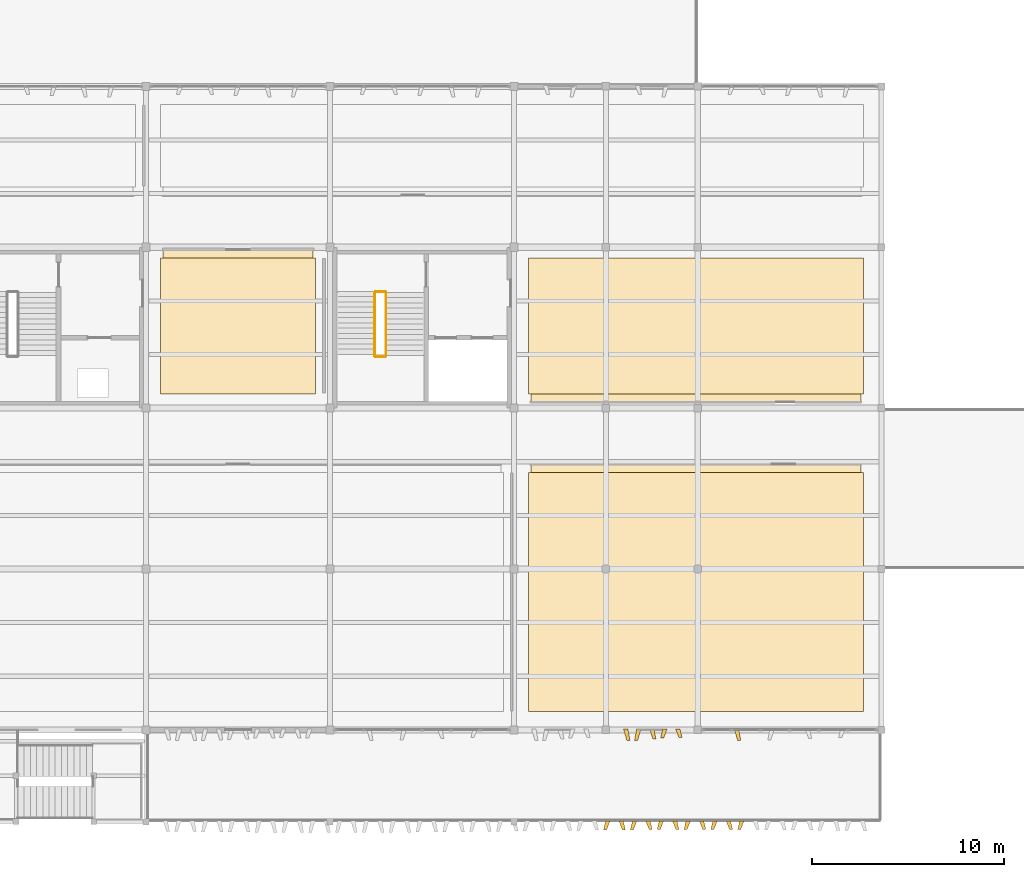
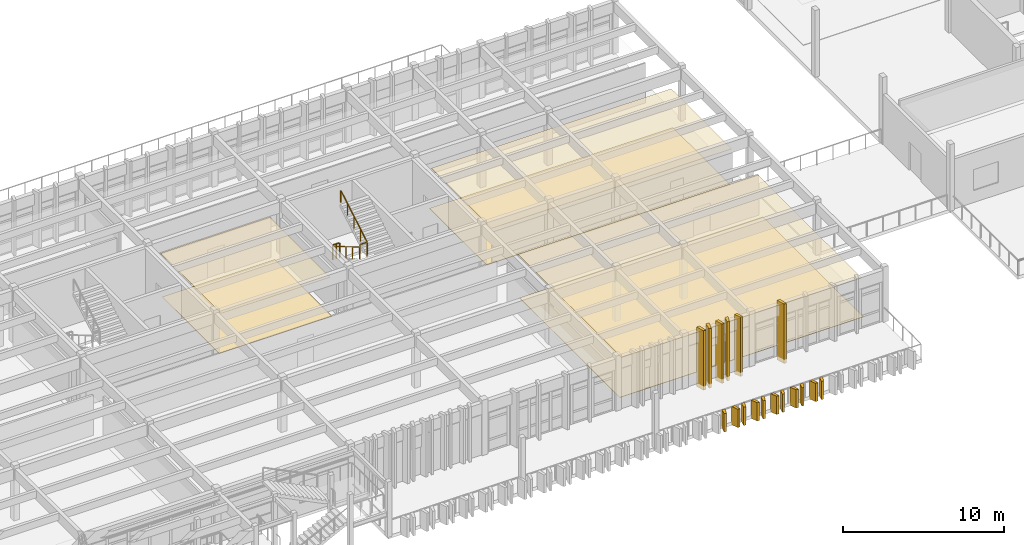
# One storey, part 56 of 61: 23 coverings, 4 railings.
"""IFC4 building model written with IfcOpenShell, lengths in metres."""

from ifc_helpers import new_model, si_unit, direction, frame, origin, origin_2d, place, context, subcontext, project, spatial, polyline, circle, outline, extrude, material, layer, layer_set, type_object, element, save


model = new_model("IFC4")

# Units and contexts
model_context = context("Model", 3, precision=1e-05, world=origin(), true_north=direction((0.0, 1.0)))
body_context = subcontext(model_context, "Body", "Model", "MODEL_VIEW")
ifc_project = project(units=[si_unit("LENGTHUNIT", "METRE"), si_unit("AREAUNIT", "SQUARE_METRE"), si_unit("VOLUMEUNIT", "CUBIC_METRE"), si_unit("PLANEANGLEUNIT", "RADIAN"), si_unit("MASSUNIT", "GRAM", prefix="KILO")], contexts=[model_context])

# Site, building, storey
site_placement = place(None, origin())
site = spatial("IfcSite", under=ifc_project, at=site_placement, CompositionType="ELEMENT")
building_placement = place(site_placement, origin())
building = spatial("IfcBuilding", under=site, at=building_placement, Name="Kolvemor Railside Polytechnic", CompositionType="ELEMENT")
storey_placement = place(building_placement, frame((0.0, 0.0, 10.199951171875)))
storey = spatial("IfcBuildingStorey", under=building, at=storey_placement, Name="L02", CompositionType="ELEMENT", Elevation=10.199951171875)

# Coverings
ifc_material_1 = material(Name="Perforated acoustic mineral-fibre and timber-slat ceiling", Category="wood")
ifc_layer_1 = layer(ifc_material_1, 0.030029296875, Name="COV-CEIL-2")
ifc_layer_set_1 = layer_set([ifc_layer_1], Name="Perforated acoustic mineral-fibre and timber-slat ceiling")
covering_type_1 = type_object("IfcCoveringType", Name="COV-CEIL-2", PredefinedType="CEILING", material=ifc_layer_set_1)
covering_1_placement = place(storey_placement, frame((0.0, 0.0, 3.0)))
element("IfcCovering", 1, at=covering_1_placement, inside=storey, type_object=covering_type_1, Name="Telecommunications and RF Laboratory Acoustic Ceiling", PredefinedType="CEILING", context=body_context, shape_type="SweptSolid", body=[
    extrude(outline(polyline([(96.8798828125, 22.35009765625), (104.719970703125, 22.35009765625), (104.719970703125, 29.8798828125), (96.8798828125, 29.8798828125), (96.8798828125, 22.35009765625)])), origin(), (0.0, 0.0, 1.0), 0.030029296875),
])
ifc_material_2 = material(Name="Perforated acoustic mineral-fibre and timber-slat ceiling", Category="wood")
ifc_layer_2 = layer(ifc_material_2, 0.034912109375, Name="COV-CEIL-3")
ifc_layer_set_2 = layer_set([ifc_layer_2], Name="Perforated acoustic mineral-fibre and timber-slat ceiling")
covering_type_2 = type_object("IfcCoveringType", Name="COV-CEIL-3", PredefinedType="CEILING", material=ifc_layer_set_2)
covering_2_placement = place(storey_placement, frame((0.0, 0.0, 2.9951171875)))
element("IfcCovering", 2, at=covering_2_placement, inside=storey, type_object=covering_type_2, Name="Solar Photovoltaics and Microgrid Laboratory Acoustic Ceiling", PredefinedType="CEILING", context=body_context, shape_type="SweptSolid", body=[
    extrude(outline(polyline([(116.080078125, 5.75), (133.320068359375, 5.75), (133.320068359375, 18.679931640625), (116.080078125, 18.679931640625), (116.080078125, 5.75)])), origin(), (0.0, 0.0, 1.0), 0.034912109375),
])
covering_3_placement = place(storey_placement, frame((0.0, 0.0, 2.9951171875)))
element("IfcCovering", 3, at=covering_3_placement, inside=storey, type_object=covering_type_2, Name="Main Stack Public and Accessible WC L02 Acoustic Ceiling", PredefinedType="CEILING", context=body_context, shape_type="SweptSolid", body=[
    extrude(outline(polyline([(116.080078125, 21.919921875), (133.320068359375, 21.919921875), (133.320068359375, 29.449951171875), (116.080078125, 29.449951171875), (116.080078125, 21.919921875)])), origin(), (0.0, 0.0, 1.0), 0.034912109375),
])
ifc_material_3 = material(Name="Champagne-bronze PVDF-anodised marine aluminium 5052-H32", Category="aluminium")
ifc_layer_3 = layer(ifc_material_3, 0.179931640625, Name="COV-FIN-CHAMP")
ifc_layer_set_3 = layer_set([ifc_layer_3], Name="Champagne-bronze PVDF-anodised marine aluminium 5052-H32")
covering_type_3 = type_object("IfcCoveringType", Name="COV-FIN-CHAMP", PredefinedType="CLADDING", material=ifc_layer_set_3)
covering_4_placement = place(storey_placement, frame((0.0, 0.0, -0.320068359375)))
element("IfcCovering", 4, at=covering_4_placement, inside=storey, type_object=covering_type_3, Name="Pleated Solar Fin L02-0368", PredefinedType="CLADDING", context=body_context, shape_type="SweptSolid", body=[
    extrude(outline(polyline([(126.7099609375, 4.8349609375), (126.93994140625, 4.8349609375), (127.044921875, 4.237060546875), (126.885009765625, 4.237060546875), (126.7099609375, 4.8349609375)])), origin(), (0.0, 0.0, 1.0), 4.52001953125),
])
covering_5_placement = place(storey_placement, frame((0.0, 0.0, -0.239990234375)))
element("IfcCovering", 5, at=covering_5_placement, inside=storey, type_object=covering_type_3, Name="Pleated Solar Fin L02-0790", PredefinedType="CLADDING", context=body_context, shape_type="SweptSolid", body=[
    extrude(outline(polyline([(119.985107421875, 0.034912109375), (120.215087890625, 0.034912109375), (120.0400390625, -0.427978515625), (119.8798828125, -0.427978515625), (119.985107421875, 0.034912109375)])), origin(), (0.0, 0.0, 1.0), 1.39013671875),
])
covering_6_placement = place(storey_placement, frame((0.0, 0.0, -0.239990234375)))
element("IfcCovering", 6, at=covering_6_placement, inside=storey, type_object=covering_type_3, Name="Pleated Solar Fin L02-0791", PredefinedType="CLADDING", context=body_context, shape_type="SweptSolid", body=[
    extrude(outline(polyline([(120.68505859375, 0.034912109375), (120.9150390625, 0.034912109375), (121.02001953125, -0.422119140625), (120.860107421875, -0.422119140625), (120.68505859375, 0.034912109375)])), origin(), (0.0, 0.0, 1.0), 1.39013671875),
])
covering_7_placement = place(storey_placement, frame((0.0, 0.0, -0.239990234375)))
element("IfcCovering", 7, at=covering_7_placement, inside=storey, type_object=covering_type_3, Name="Pleated Solar Fin L02-0792", PredefinedType="CLADDING", context=body_context, shape_type="SweptSolid", body=[
    extrude(outline(polyline([(121.385009765625, 0.034912109375), (121.614990234375, 0.034912109375), (121.43994140625, -0.416015625), (121.280029296875, -0.416015625), (121.385009765625, 0.034912109375)])), origin(), (0.0, 0.0, 1.0), 1.39013671875),
])
covering_8_placement = place(storey_placement, frame((0.0, 0.0, -0.239990234375)))
element("IfcCovering", 8, at=covering_8_placement, inside=storey, type_object=covering_type_3, Name="Pleated Solar Fin L02-0793", PredefinedType="CLADDING", context=body_context, shape_type="SweptSolid", body=[
    extrude(outline(polyline([(122.0849609375, 0.034912109375), (122.31494140625, 0.034912109375), (122.419921875, -0.412109375), (122.260009765625, -0.412109375), (122.0849609375, 0.034912109375)])), origin(), (0.0, 0.0, 1.0), 1.39013671875),
])
covering_9_placement = place(storey_placement, frame((0.0, 0.0, -0.239990234375)))
element("IfcCovering", 9, at=covering_9_placement, inside=storey, type_object=covering_type_3, Name="Pleated Solar Fin L02-0794", PredefinedType="CLADDING", context=body_context, shape_type="SweptSolid", body=[
    extrude(outline(polyline([(122.784912109375, 0.034912109375), (123.014892578125, 0.034912109375), (122.840087890625, -0.408935546875), (122.679931640625, -0.408935546875), (122.784912109375, 0.034912109375)])), origin(), (0.0, 0.0, 1.0), 1.39013671875),
])
covering_10_placement = place(storey_placement, frame((0.0, 0.0, -0.239990234375)))
element("IfcCovering", 10, at=covering_10_placement, inside=storey, type_object=covering_type_3, Name="Pleated Solar Fin L02-0795", PredefinedType="CLADDING", context=body_context, shape_type="SweptSolid", body=[
    extrude(outline(polyline([(123.485107421875, 0.034912109375), (123.715087890625, 0.034912109375), (123.820068359375, -0.406982421875), (123.659912109375, -0.406982421875), (123.485107421875, 0.034912109375)])), origin(), (0.0, 0.0, 1.0), 1.39013671875),
])
covering_11_placement = place(storey_placement, frame((0.0, 0.0, -0.239990234375)))
element("IfcCovering", 11, at=covering_11_placement, inside=storey, type_object=covering_type_3, Name="Pleated Solar Fin L02-0796", PredefinedType="CLADDING", context=body_context, shape_type="SweptSolid", body=[
    extrude(outline(polyline([(124.18505859375, 0.034912109375), (124.4150390625, 0.034912109375), (124.239990234375, -0.405029296875), (124.080078125, -0.405029296875), (124.18505859375, 0.034912109375)])), origin(), (0.0, 0.0, 1.0), 1.39013671875),
])
covering_12_placement = place(storey_placement, frame((0.0, 0.0, -0.239990234375)))
element("IfcCovering", 12, at=covering_12_placement, inside=storey, type_object=covering_type_3, Name="Pleated Solar Fin L02-0797", PredefinedType="CLADDING", context=body_context, shape_type="SweptSolid", body=[
    extrude(outline(polyline([(124.885009765625, 0.034912109375), (125.114990234375, 0.034912109375), (125.219970703125, -0.405029296875), (125.06005859375, -0.405029296875), (124.885009765625, 0.034912109375)])), origin(), (0.0, 0.0, 1.0), 1.39013671875),
])
covering_13_placement = place(storey_placement, frame((0.0, 0.0, -0.239990234375)))
element("IfcCovering", 13, at=covering_13_placement, inside=storey, type_object=covering_type_3, Name="Pleated Solar Fin L02-0798", PredefinedType="CLADDING", context=body_context, shape_type="SweptSolid", body=[
    extrude(outline(polyline([(125.5849609375, 0.034912109375), (125.81494140625, 0.034912109375), (125.639892578125, -0.406005859375), (125.47998046875, -0.406005859375), (125.5849609375, 0.034912109375)])), origin(), (0.0, 0.0, 1.0), 1.39013671875),
])
covering_14_placement = place(storey_placement, frame((0.0, 0.0, -0.239990234375)))
element("IfcCovering", 14, at=covering_14_placement, inside=storey, type_object=covering_type_3, Name="Pleated Solar Fin L02-0799", PredefinedType="CLADDING", context=body_context, shape_type="SweptSolid", body=[
    extrude(outline(polyline([(126.284912109375, 0.034912109375), (126.514892578125, 0.034912109375), (126.6201171875, -0.407958984375), (126.4599609375, -0.407958984375), (126.284912109375, 0.034912109375)])), origin(), (0.0, 0.0, 1.0), 1.39013671875),
])
covering_15_placement = place(storey_placement, frame((0.0, 0.0, -0.239990234375)))
element("IfcCovering", 15, at=covering_15_placement, inside=storey, type_object=covering_type_3, Name="Pleated Solar Fin L02-0800", PredefinedType="CLADDING", context=body_context, shape_type="SweptSolid", body=[
    extrude(outline(polyline([(126.985107421875, 0.034912109375), (127.215087890625, 0.034912109375), (127.0400390625, -0.410888671875), (126.8798828125, -0.410888671875), (126.985107421875, 0.034912109375)])), origin(), (0.0, 0.0, 1.0), 1.39013671875),
])
ifc_material_4 = material(Name="Sea-mist PVDF-anodised marine aluminium 5052-H32", Category="aluminium")
ifc_layer_4 = layer(ifc_material_4, 0.159912109375, Name="COV-FIN-MIST")
ifc_layer_set_4 = layer_set([ifc_layer_4], Name="Sea-mist PVDF-anodised marine aluminium 5052-H32")
covering_type_4 = type_object("IfcCoveringType", Name="COV-FIN-MIST", PredefinedType="CLADDING", material=ifc_layer_set_4)
covering_16_placement = place(storey_placement, frame((0.0, 0.0, -0.320068359375)))
element("IfcCovering", 16, at=covering_16_placement, inside=storey, type_object=covering_type_4, Name="Pleated Solar Fin L02-0363", PredefinedType="CLADDING", context=body_context, shape_type="SweptSolid", body=[
    extrude(outline(polyline([(120.925048828125, 4.8349609375), (121.155029296875, 4.8349609375), (121.260009765625, 4.237060546875), (121.10009765625, 4.237060546875), (120.925048828125, 4.8349609375)])), origin(), (0.0, 0.0, 1.0), 4.52001953125),
])
covering_17_placement = place(storey_placement, frame((0.0, 0.0, -0.320068359375)))
element("IfcCovering", 17, at=covering_17_placement, inside=storey, type_object=covering_type_4, Name="Pleated Solar Fin L02-0364", PredefinedType="CLADDING", context=body_context, shape_type="SweptSolid", body=[
    extrude(outline(polyline([(121.60498046875, 4.8349609375), (121.8349609375, 4.8349609375), (121.659912109375, 4.2529296875), (121.5, 4.2529296875), (121.60498046875, 4.8349609375)])), origin(), (0.0, 0.0, 1.0), 4.52001953125),
])
covering_18_placement = place(storey_placement, frame((0.0, 0.0, -0.320068359375)))
element("IfcCovering", 18, at=covering_18_placement, inside=storey, type_object=covering_type_4, Name="Pleated Solar Fin L02-0365", PredefinedType="CLADDING", context=body_context, shape_type="SweptSolid", body=[
    extrude(outline(polyline([(122.284912109375, 4.8349609375), (122.514892578125, 4.8349609375), (122.6201171875, 4.31494140625), (122.4599609375, 4.31494140625), (122.284912109375, 4.8349609375)])), origin(), (0.0, 0.0, 1.0), 4.52001953125),
])
covering_19_placement = place(storey_placement, frame((0.0, 0.0, -0.320068359375)))
element("IfcCovering", 19, at=covering_19_placement, inside=storey, type_object=covering_type_4, Name="Pleated Solar Fin L02-0366", PredefinedType="CLADDING", context=body_context, shape_type="SweptSolid", body=[
    extrude(outline(polyline([(122.965087890625, 4.8349609375), (123.195068359375, 4.8349609375), (123.02001953125, 4.376953125), (122.860107421875, 4.376953125), (122.965087890625, 4.8349609375)])), origin(), (0.0, 0.0, 1.0), 4.52001953125),
])
covering_20_placement = place(storey_placement, frame((0.0, 0.0, -0.320068359375)))
element("IfcCovering", 20, at=covering_20_placement, inside=storey, type_object=covering_type_4, Name="Pleated Solar Fin L02-0367", PredefinedType="CLADDING", context=body_context, shape_type="SweptSolid", body=[
    extrude(outline(polyline([(123.64501953125, 4.8349609375), (123.875, 4.8349609375), (123.97998046875, 4.39306640625), (123.820068359375, 4.39306640625), (123.64501953125, 4.8349609375)])), origin(), (0.0, 0.0, 1.0), 4.52001953125),
])
ifc_material_5 = material(Name="Polished coral-aggregate terrazzo and laboratory epoxy flooring")
ifc_layer_5 = layer(ifc_material_5, 0.02490234375, Name="COV-FLR-2")
ifc_layer_set_5 = layer_set([ifc_layer_5], Name="Polished coral-aggregate terrazzo and laboratory epoxy flooring")
covering_type_5 = type_object("IfcCoveringType", Name="COV-FLR-2", PredefinedType="FLOORING", material=ifc_layer_set_5)
covering_21_placement = place(storey_placement, origin())
element("IfcCovering", 21, at=covering_21_placement, inside=storey, type_object=covering_type_5, Name="Telecommunications and RF Laboratory Floor Finish", PredefinedType="FLOORING", context=body_context, shape_type="SweptSolid", body=[
    extrude(outline(polyline([(96.75, 22.35009765625), (104.85009765625, 22.35009765625), (104.85009765625, 29.449951171875), (96.75, 29.449951171875), (96.75, 22.35009765625)])), origin(), (0.0, 0.0, 1.0), 0.025146484375),
])
ifc_material_6 = material(Name="Polished coral-aggregate terrazzo and laboratory epoxy flooring")
ifc_layer_6 = layer(ifc_material_6, 0.030029296875, Name="COV-FLR-3")
ifc_layer_set_6 = layer_set([ifc_layer_6], Name="Polished coral-aggregate terrazzo and laboratory epoxy flooring")
covering_type_6 = type_object("IfcCoveringType", Name="COV-FLR-3", PredefinedType="FLOORING", material=ifc_layer_set_6)
covering_22_placement = place(storey_placement, origin())
element("IfcCovering", 22, at=covering_22_placement, inside=storey, type_object=covering_type_6, Name="Solar Photovoltaics and Microgrid Laboratory Floor Finish", PredefinedType="FLOORING", context=body_context, shape_type="SweptSolid", body=[
    extrude(outline(polyline([(115.949951171875, 5.75), (133.449951171875, 5.75), (133.449951171875, 18.25), (115.949951171875, 18.25), (115.949951171875, 5.75)])), origin(), (0.0, 0.0, 1.0), 0.030029296875),
])
covering_23_placement = place(storey_placement, origin())
element("IfcCovering", 23, at=covering_23_placement, inside=storey, type_object=covering_type_6, Name="Main Stack Public and Accessible WC L02 Floor Finish", PredefinedType="FLOORING", context=body_context, shape_type="SweptSolid", body=[
    extrude(outline(polyline([(115.949951171875, 22.35009765625), (133.449951171875, 22.35009765625), (133.449951171875, 29.449951171875), (115.949951171875, 29.449951171875), (115.949951171875, 22.35009765625)])), origin(), (0.0, 0.0, 1.0), 0.030029296875),
])

# Railings
ifc_material_7 = material(Name="AISI 316 marine stainless-steel balustrade guard", Category="steel")
railing_type_1 = type_object("IfcRailingType", Name="RLG-GUARD-1120", PredefinedType="BALUSTRADE", material=ifc_material_7)
railing_1_placement = place(storey_placement, frame((107.97998046875, 27.679931640625, 0.0)))
element("IfcRailing", 24, at=railing_1_placement, inside=storey, type_object=railing_type_1, Name="ST-2 Floor Slot Guard L02", PredefinedType="BALUSTRADE", context=body_context, shape_type="SweptSolid", body=[
    extrude(circle(Radius=0.02392578125, at=origin_2d()), frame((0.054931640625, 0.0, 1.09619140625), z_axis=(1.0, 0.0, 0.0), x_axis=(0.0, 1.0, 0.0)), (0.0, 0.0, 1.0), 0.389892578125),
    extrude(circle(Radius=0.02099609375, at=origin_2d()), origin(), (0.0, 0.0, 1.0), 1.05712890625),
    extrude(circle(Radius=0.02099609375, at=origin_2d()), frame((0.25, 0.0, 0.0)), (0.0, 0.0, 1.0), 1.05712890625),
    extrude(circle(Radius=0.02099609375, at=origin_2d()), frame((0.5, 0.0, 0.0)), (0.0, 0.0, 1.0), 1.05712890625),
])
railing_2_placement = place(storey_placement, frame((107.97998046875, 24.280029296875, 2.10009765625)))
element("IfcRailing", 25, at=railing_2_placement, inside=storey, type_object=railing_type_1, Name="ST-2 Half-Landing Slot Guard L02", PredefinedType="BALUSTRADE", context=body_context, shape_type="SweptSolid", body=[
    extrude(circle(Radius=0.02392578125, at=origin_2d()), frame((0.054931640625, 0.0, 1.09619140625), z_axis=(1.0, 0.0, 0.0), x_axis=(0.0, 1.0, 0.0)), (0.0, 0.0, 1.0), 0.389892578125),
    extrude(circle(Radius=0.02099609375, at=origin_2d()), origin(), (0.0, 0.0, 1.0), 1.05712890625),
    extrude(circle(Radius=0.02099609375, at=origin_2d()), frame((0.5, 0.0, 0.0)), (0.0, 0.0, 1.0), 1.05712890625),
])
ifc_material_8 = material(Name="Brushed AISI 316 stainless-steel stair handrail", Category="steel")
railing_type_2 = type_object("IfcRailingType", Name="RLG-HANDRAIL-920", PredefinedType="HANDRAIL", material=ifc_material_8)
railing_3_placement = place(storey_placement, frame((107.93994140625, 27.6201171875, 0.16162109375)))
element("IfcRailing", 26, at=railing_3_placement, inside=storey, type_object=railing_type_2, Name="ST-2 Flight 1 Handrail L02", PredefinedType="HANDRAIL", context=body_context, shape_type="SweptSolid", body=[
    extrude(circle(Radius=0.02392578125, at=origin_2d()), frame((0.0, -0.04736328125, 0.923828125), z_axis=(0.0, -0.862245621732, 0.506490362991), x_axis=(1.0, 0.0, 0.0)), (0.0, 0.0, 1.0), 3.71728515625),
    extrude(circle(Radius=0.02099609375, at=origin_2d()), origin(), (0.0, 0.0, 1.0), 0.85693359375),
    extrude(circle(Radius=0.02099609375, at=origin_2d()), frame((0.0, -0.824951171875, 0.484619140625)), (0.0, 0.0, 1.0), 0.85693359375),
    extrude(circle(Radius=0.02099609375, at=origin_2d()), frame((0.0, -1.64990234375, 0.96923828125)), (0.0, 0.0, 1.0), 0.85693359375),
    extrude(circle(Radius=0.02099609375, at=origin_2d()), frame((0.0, -2.47509765625, 1.453857421875)), (0.0, 0.0, 1.0), 0.85693359375),
    extrude(circle(Radius=0.02099609375, at=origin_2d()), frame((0.0, -3.300048828125, 1.9384765625)), (0.0, 0.0, 1.0), 0.85693359375),
])
railing_4_placement = place(storey_placement, frame((108.52001953125, 24.320068359375, 2.261474609375)))
element("IfcRailing", 27, at=railing_4_placement, inside=storey, type_object=railing_type_2, Name="ST-2 Flight 2 Handrail L02", PredefinedType="HANDRAIL", context=body_context, shape_type="SweptSolid", body=[
    extrude(circle(Radius=0.02392578125, at=origin_2d()), frame((0.0, 0.04736328125, 0.923828125), z_axis=(0.0, 0.862245621732, 0.506490362991), x_axis=(-1.0, 0.0, 0.0)), (0.0, 0.0, 1.0), 3.71728515625),
    extrude(circle(Radius=0.02099609375, at=origin_2d()), origin(), (0.0, 0.0, 1.0), 0.85693359375),
    extrude(circle(Radius=0.02099609375, at=origin_2d()), frame((0.0, 0.824951171875, 0.484619140625)), (0.0, 0.0, 1.0), 0.85693359375),
    extrude(circle(Radius=0.02099609375, at=origin_2d()), frame((0.0, 1.64990234375, 0.96923828125)), (0.0, 0.0, 1.0), 0.85693359375),
    extrude(circle(Radius=0.02099609375, at=origin_2d()), frame((0.0, 2.47509765625, 1.453857421875)), (0.0, 0.0, 1.0), 0.85693359375),
    extrude(circle(Radius=0.02099609375, at=origin_2d()), frame((0.0, 3.300048828125, 1.9384765625)), (0.0, 0.0, 1.0), 0.85693359375),
])

save(model, "model.ifc")
